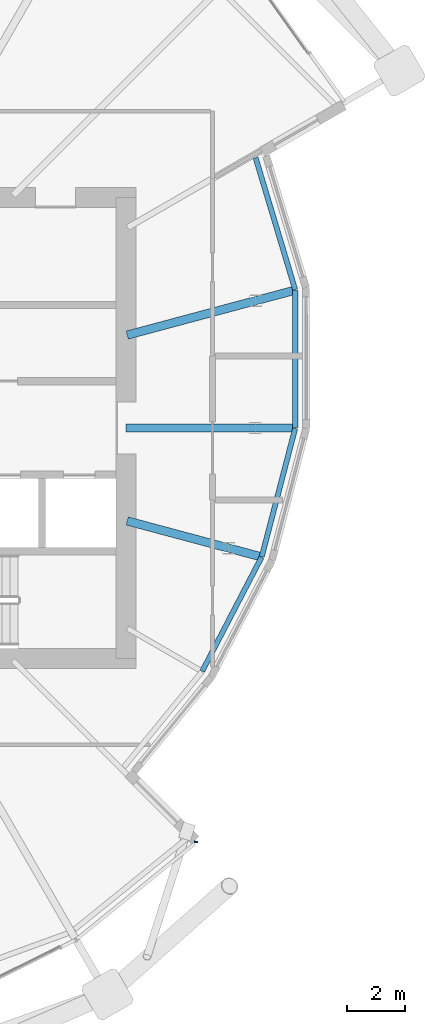
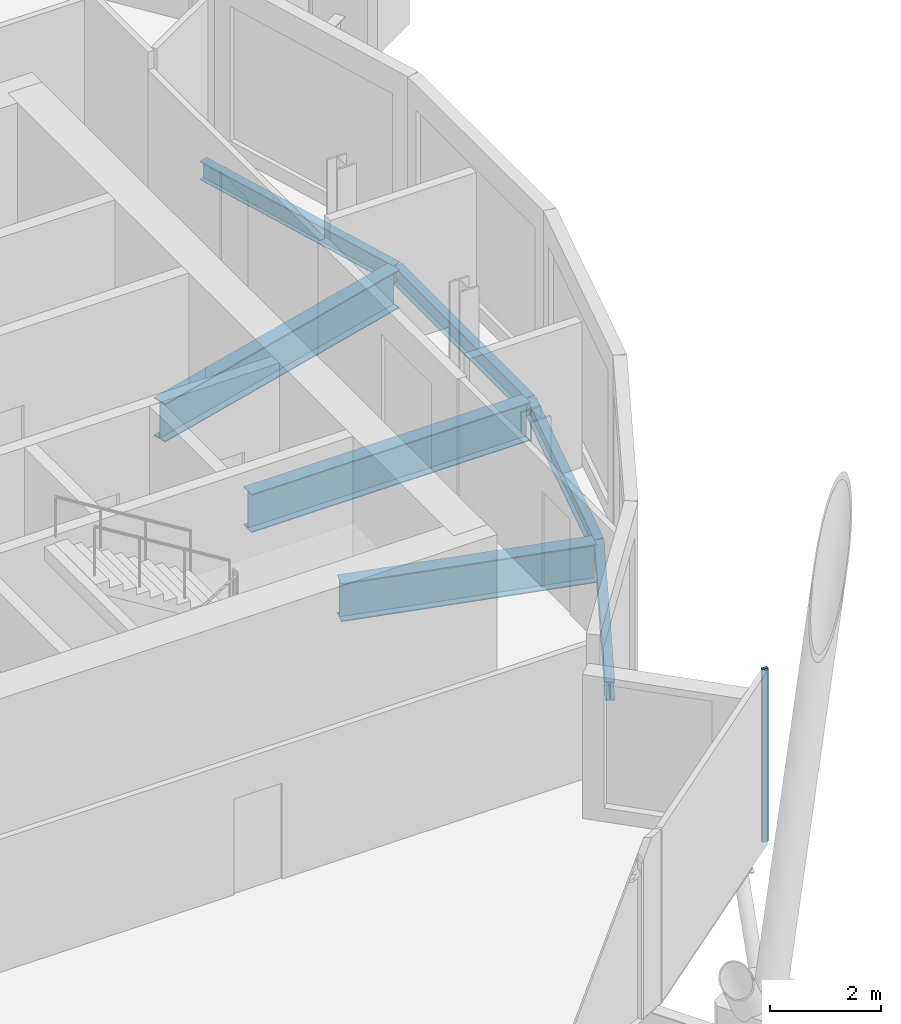
# One storey, part 16 of 35: 7 beams, 1 member, 1 element without a shape of its own.
"""IFC4 building model written with IfcOpenShell, lengths in metres."""

from ifc_helpers import new_model, si_unit, direction, frame, origin, origin_2d, place, context, subcontext, project, spatial, rectangle, i_section, extrude, material, material_profile, profile_set, type_object, element, aggregate, save


model = new_model("IFC4")

# Units and contexts
model_context = context("Model", 3, precision=1e-05, world=origin(), true_north=direction((0.0, 1.0)))
body_context = subcontext(model_context, "Body", "Model", "MODEL_VIEW")
ifc_project = project(units=[si_unit("LENGTHUNIT", "METRE"), si_unit("AREAUNIT", "SQUARE_METRE"), si_unit("VOLUMEUNIT", "CUBIC_METRE"), si_unit("PLANEANGLEUNIT", "RADIAN"), si_unit("MASSUNIT", "GRAM", prefix="KILO")], contexts=[model_context])

# Site, building, storey
site_placement = place(None, origin())
site = spatial("IfcSite", under=ifc_project, at=site_placement, CompositionType="ELEMENT")
building_placement = place(site_placement, origin())
building = spatial("IfcBuilding", under=site, at=building_placement, Name="Rimbun Link Towers", CompositionType="ELEMENT")
storey_placement = place(building_placement, frame((0.0, 0.0, 146.800048828125)))
storey = spatial("IfcBuildingStorey", under=building, at=storey_placement, Name="L35", CompositionType="ELEMENT", Elevation=146.800048828125)

# Curtain wall, member
ifc_material_1 = material(Name="Aluminium 6063-T6 and low-iron glass", Category="aluminium")
curtain_wall_type = type_object("IfcCurtainWallType", Name="CW4 link block wall", PredefinedType="NOTDEFINED", material=ifc_material_1)
curtain_wall_placement = place(storey_placement, origin())
curtain_wall = element("IfcCurtainWall", 1, at=curtain_wall_placement, inside=storey, type_object=curtain_wall_type, Name="CW4 L35 T2", PredefinedType="NOTDEFINED")
ifc_material_2 = material(Name="Aluminium 6063-T6", Category="aluminium")
ifc_material_profile_1 = material_profile(ifc_material_2, rectangle(XDim=0.1201171875, YDim=0.06005859375, at=origin_2d()), Name="MULLION 60X120")
ifc_profile_set_1 = profile_set([ifc_material_profile_1], Name="Aluminium 6063-T6")
member_type = type_object("IfcMemberType", Name="CW4 mullion 60X120", PredefinedType="MULLION", material=ifc_profile_set_1)
member_placement = place(storey_placement, frame((46.17529296875, -14.368408203125, 0.0), z_axis=(0.0, 0.0, 1.0), x_axis=(0.998624088058, -0.052439782127, 0.0)))
member = element("IfcMember", 2, at=member_placement, type_object=member_type, Name="CW4 mullion", PredefinedType="MULLION", context=body_context, shape_type="SweptSolid", body=[
    extrude(rectangle(XDim=0.1201171875, YDim=0.06005859375, at=origin_2d()), origin(), (0.0, 0.0, 1.0), 3.800048828125),
])
aggregate(curtain_wall, [member])

# Beams
ifc_material_3 = material(Name="Steel S355J2", Category="steel")
ifc_material_profile_2 = material_profile(ifc_material_3, i_section(OverallWidth=0.177978515625, OverallDepth=0.406494140625, WebThickness=0.0078125, FlangeThickness=0.0126953125, at=origin_2d()), Name="UB 406x178x60")
ifc_profile_set_2 = profile_set([ifc_material_profile_2], Name="Steel S355J2")
beam_type_1 = type_object("IfcBeamType", Name="UB 406x178x60", PredefinedType="BEAM", material=ifc_profile_set_2)
beam_1_placement = place(storey_placement, frame((46.39208984375, -8.44189453125, -0.38330078125), z_axis=(0.461630243497, 0.887072442526, 0.0), x_axis=(-0.887072442526, 0.461630243497, 0.0)))
element("IfcBeam", 3, at=beam_1_placement, inside=storey, type_object=beam_type_1, Name="Edge beam T2 L35 19 recess", PredefinedType="BEAM", context=body_context, shape_type="SweptSolid", body=[
    extrude(i_section(OverallWidth=0.177978515625, OverallDepth=0.406494140625, WebThickness=0.0078125, FlangeThickness=0.0126953125, at=origin_2d()), origin(), (0.0, 0.0, 1.0), 4.45947265625),
])
beam_2_placement = place(storey_placement, frame((48.45849609375, -4.465576171875, -0.38330078125), z_axis=(0.252333363174, 0.96764036389, 0.0), x_axis=(-0.96764036389, 0.252333363174, 0.0)))
element("IfcBeam", 4, at=beam_2_placement, inside=storey, type_object=beam_type_1, Name="Edge beam T2 L35 20 recess", PredefinedType="BEAM", context=body_context, shape_type="SweptSolid", body=[
    extrude(i_section(OverallWidth=0.177978515625, OverallDepth=0.406494140625, WebThickness=0.0078125, FlangeThickness=0.0126953125, at=origin_2d()), origin(), (0.0, 0.0, 1.0), 4.6025390625),
])
beam_3_placement = place(storey_placement, frame((49.622802734375, 0.012451171875, -0.38330078125), z_axis=(0.000153783062, 0.999999988175, 0.0), x_axis=(-0.999999988175, 0.000153783062, 0.0)))
element("IfcBeam", 5, at=beam_3_placement, inside=storey, type_object=beam_type_1, Name="Edge beam T2 L35 21 recess", PredefinedType="BEAM", context=body_context, shape_type="SweptSolid", body=[
    extrude(i_section(OverallWidth=0.177978515625, OverallDepth=0.406494140625, WebThickness=0.0078125, FlangeThickness=0.0126953125, at=origin_2d()), origin(), (0.0, 0.0, 1.0), 4.7626953125),
])
beam_4_placement = place(storey_placement, frame((49.619384765625, 4.802734375, -0.38330078125), z_axis=(-0.287413524114, 0.957806591205, 0.0), x_axis=(-0.957806591205, -0.287413524114, 0.0)))
element("IfcBeam", 6, at=beam_4_placement, inside=storey, type_object=beam_type_1, Name="Edge beam T2 L35 22 recess", PredefinedType="BEAM", context=body_context, shape_type="SweptSolid", body=[
    extrude(i_section(OverallWidth=0.177978515625, OverallDepth=0.406494140625, WebThickness=0.0078125, FlangeThickness=0.0126953125, at=origin_2d()), origin(), (0.0, 0.0, 1.0), 4.77734375),
])
ifc_material_4 = material(Name="Steel S355J2", Category="steel")
ifc_material_profile_3 = material_profile(ifc_material_4, i_section(OverallWidth=0.29248046875, OverallDepth=0.8408203125, WebThickness=0.0126953125, FlangeThickness=0.021728515625, at=origin_2d()), Name="UB 838x292x194")
ifc_profile_set_3 = profile_set([ifc_material_profile_3], Name="Steel S355J2")
beam_type_2 = type_object("IfcBeamType", Name="UB 838x292x194", PredefinedType="BEAM", material=ifc_profile_set_3)
beam_5_placement = place(storey_placement, frame((43.788818359375, -3.225830078125, -0.600341796875), z_axis=(0.965928284471, -0.258809870868, 0.0), x_axis=(0.258809870868, 0.965928284471, 0.0)))
element("IfcBeam", 7, at=beam_5_placement, inside=storey, type_object=beam_type_2, Name="Radial beam T2 L35 20", PredefinedType="BEAM", context=body_context, shape_type="SweptSolid", body=[
    extrude(i_section(OverallWidth=0.29248046875, OverallDepth=0.8408203125, WebThickness=0.0126953125, FlangeThickness=0.021728515625, at=origin_2d()), origin(), (0.0, 0.0, 1.0), 4.7412109375),
])
beam_6_placement = place(storey_placement, frame((43.7509765625, 0.0, -0.600341796875), z_axis=(1.0, 0.0, 0.0), x_axis=(0.0, 1.0, 0.0)))
element("IfcBeam", 8, at=beam_6_placement, inside=storey, type_object=beam_type_2, Name="Radial beam T2 L35 21", PredefinedType="BEAM", context=body_context, shape_type="SweptSolid", body=[
    extrude(i_section(OverallWidth=0.29248046875, OverallDepth=0.8408203125, WebThickness=0.0126953125, FlangeThickness=0.021728515625, at=origin_2d()), origin(), (0.0, 0.0, 1.0), 5.78125),
])
beam_7_placement = place(storey_placement, frame((43.788818359375, 3.225830078125, -0.600341796875), z_axis=(0.96592369199, 0.258827010283, 0.0), x_axis=(-0.258827010283, 0.96592369199, 0.0)))
element("IfcBeam", 9, at=beam_7_placement, inside=storey, type_object=beam_type_2, Name="Radial beam T2 L35 22", PredefinedType="BEAM", context=body_context, shape_type="SweptSolid", body=[
    extrude(i_section(OverallWidth=0.29248046875, OverallDepth=0.8408203125, WebThickness=0.0126953125, FlangeThickness=0.021728515625, at=origin_2d()), origin(), (0.0, 0.0, 1.0), 5.949951171875),
])

save(model, "model.ifc")
